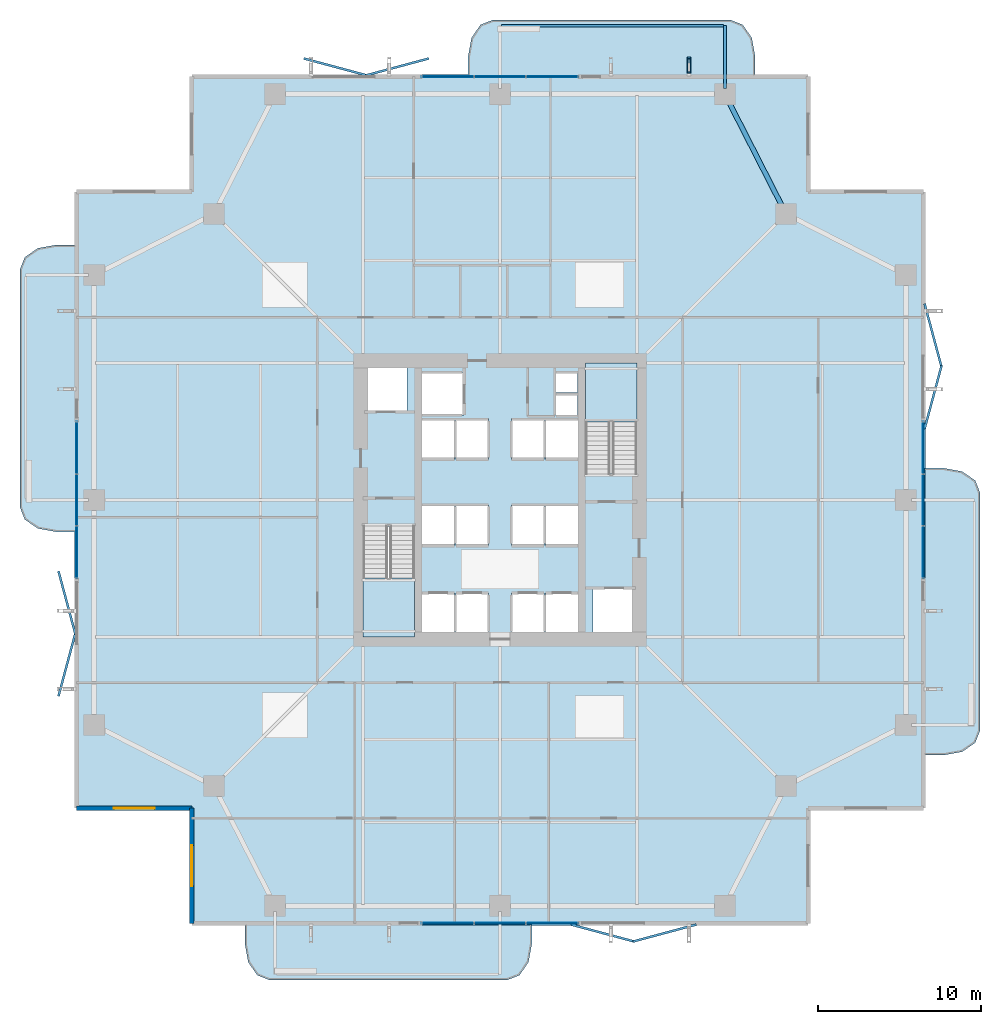
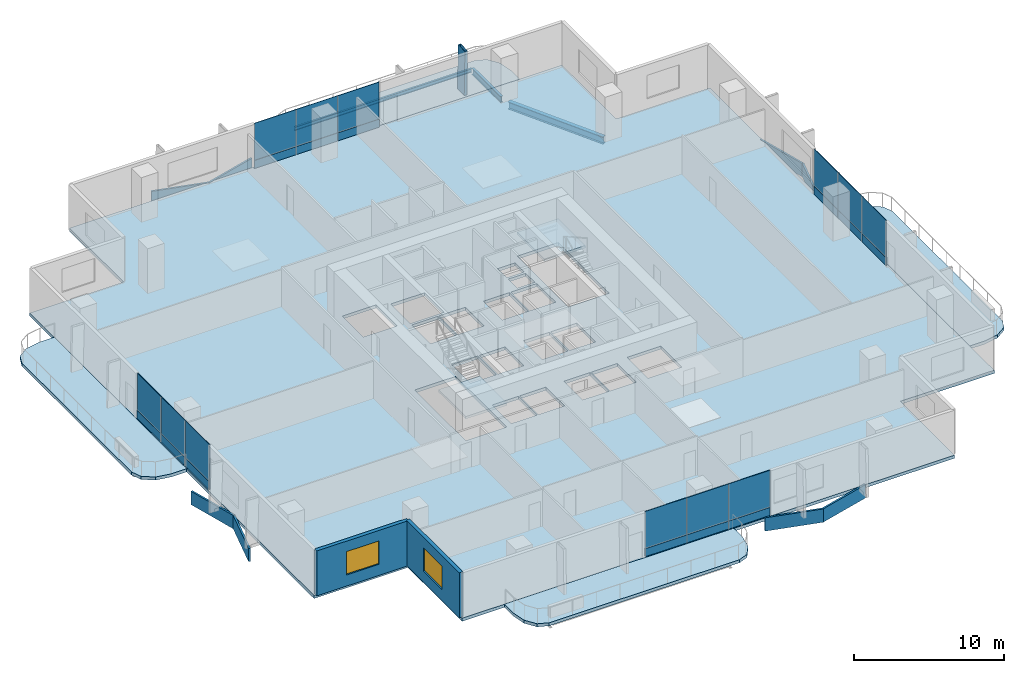
# One storey, part 16 of 23: 32 plates, 7 slabs, 3 beams, 2 walls, 2 windows, 1 member, 2 openings, 6 elements without a shape of their own.
"""IFC4 building model written with IfcOpenShell, lengths in metres."""

from ifc_helpers import new_model, si_unit, direction, frame, frame_2d, origin, origin_2d, place, context, subcontext, project, spatial, polyline, rectangle, hollow_rectangle, i_section, outline, extrude, material, layer, layer_set, material_profile, profile_set, type_object, element, fill, aggregate, save


model = new_model("IFC4")

# Units and contexts
model_context = context("Model", 3, precision=1e-05, world=origin(), true_north=direction((0.0, 1.0)))
body_context = subcontext(model_context, "Body", "Model", "MODEL_VIEW")
ifc_project = project(units=[si_unit("LENGTHUNIT", "METRE"), si_unit("AREAUNIT", "SQUARE_METRE"), si_unit("VOLUMEUNIT", "CUBIC_METRE"), si_unit("PLANEANGLEUNIT", "RADIAN"), si_unit("MASSUNIT", "GRAM", prefix="KILO")], contexts=[model_context])

# Site, building, storey
site_placement = place(None, origin())
site = spatial("IfcSite", under=ifc_project, at=site_placement, CompositionType="ELEMENT")
building_placement = place(site_placement, origin())
building = spatial("IfcBuilding", under=site, at=building_placement, Name="Belovzor Exchange Tower", CompositionType="ELEMENT")
storey_placement = place(building_placement, frame((0.0, 0.0, 125.10009765625)))
storey = spatial("IfcBuildingStorey", under=building, at=storey_placement, Name="L30", CompositionType="ELEMENT", Elevation=125.10009765625)

# Beams
ifc_material_1 = material(Name="Steel S355", Category="steel")
ifc_material_profile_1 = material_profile(ifc_material_1, i_section(OverallWidth=0.199951171875, OverallDepth=0.5, WebThickness=0.01025390625, FlangeThickness=0.01611328125, at=origin_2d()))
ifc_profile_set_1 = profile_set([ifc_material_profile_1], Name="Steel S355")
beam_type_1 = type_object("IfcBeamType", Name="Planted Balcony Cantilever Beam IPE 500", PredefinedType="BEAM", material=ifc_profile_set_1)
beam_1_placement = place(storey_placement, frame((42.60009765625, 54.05810546875, -0.5), z_axis=(0.0, 1.0, 0.0), x_axis=(-1.0, 0.0, 0.0)))
element("IfcBeam", 1, at=beam_1_placement, inside=storey, type_object=beam_type_1, Name="BC-500 Planted Balcony Cantilever Beam IPE 500", PredefinedType="BEAM", context=body_context, shape_type="SweptSolid", body=[
    extrude(i_section(OverallWidth=0.199951171875, OverallDepth=0.5, WebThickness=0.01025390625, FlangeThickness=0.01611328125, at=origin_2d()), origin(), (0.0, 0.0, 1.0), 3.849853515625),
])
ifc_material_2 = material(Name="Steel S355", Category="steel")
ifc_material_profile_2 = material_profile(ifc_material_2, i_section(OverallWidth=0.14990234375, OverallDepth=0.300048828125, WebThickness=0.007080078125, FlangeThickness=0.0107421875, at=origin_2d()))
ifc_profile_set_2 = profile_set([ifc_material_profile_2], Name="Steel S355")
beam_type_2 = type_object("IfcBeamType", Name="Planted Balcony Fascia Edge Beam IPE 300", PredefinedType="BEAM", material=ifc_profile_set_2)
beam_2_placement = place(storey_placement, frame((42.5, 57.907958984375, -0.400146484375), z_axis=(-1.0, 0.0, 0.0), x_axis=(0.0, -1.0, 0.0)))
element("IfcBeam", 2, at=beam_2_placement, inside=storey, type_object=beam_type_2, Name="BC-300 Planted Balcony Fascia Edge Beam IPE 300", PredefinedType="BEAM", context=body_context, shape_type="SweptSolid", body=[
    extrude(i_section(OverallWidth=0.14990234375, OverallDepth=0.300048828125, WebThickness=0.007080078125, FlangeThickness=0.0107421875, at=origin_2d()), origin(), (0.0, 0.0, 1.0), 13.60009765625),
])

# Member
ifc_material_3 = material(Name="Extruded Architectural Terracotta on Steel S355 Carrier", Category="masonry")
ifc_material_profile_3 = material_profile(ifc_material_3, hollow_rectangle(XDim=0.199951171875, YDim=0.89990234375, WallThickness=0.011962890625, at=origin_2d()))
ifc_profile_set_3 = profile_set([ifc_material_profile_3], Name="Extruded Architectural Terracotta on Steel S355 Carrier")
member_type = type_object("IfcMemberType", Name="Sweeping Terracotta Baguette Fin Assembly 1250", PredefinedType="USERDEFINED", material=ifc_profile_set_3)
member_placement = place(storey_placement, frame((40.39990234375, 55.528076171875, -0.25), z_axis=(0.0, -0.026408715329, 0.999651229057), x_axis=(1.0, 0.0, 0.0)))
element("IfcMember", 3, at=member_placement, inside=storey, type_object=member_type, Name="FIN-TC125 Terracotta Facade Fin L30 N4", ObjectType="FIN", PredefinedType="USERDEFINED", context=body_context, shape_type="SweptSolid", body=[
    extrude(hollow_rectangle(XDim=0.199951171875, YDim=0.89990234375, WallThickness=0.011962890625, at=origin_2d()), origin(), (0.0, 0.0, 1.0), 3.9013671875),
])

# Beam
ifc_material_4 = material(Name="Steel S355", Category="steel")
ifc_material_profile_4 = material_profile(ifc_material_4, i_section(OverallWidth=0.300048828125, OverallDepth=0.60009765625, WebThickness=0.015380859375, FlangeThickness=0.030029296875, at=origin_2d()))
ifc_profile_set_4 = profile_set([ifc_material_profile_4], Name="Steel S355")
beam_type_3 = type_object("IfcBeamType", Name="Zone 2 Primary Perimeter Girder HEB 600", PredefinedType="BEAM", material=ifc_profile_set_4)
beam_3_placement = place(storey_placement, frame((46.18798828125, 46.66796875, -0.550048828125), z_axis=(-0.454518593109, 0.890737249989, 0.0), x_axis=(-0.890737249989, -0.454518593109, 0.0)))
element("IfcBeam", 4, at=beam_3_placement, inside=storey, type_object=beam_type_3, Name="FG-Z2 Zone 2 Primary Perimeter Girder HEB 600", PredefinedType="BEAM", context=body_context, shape_type="SweptSolid", body=[
    extrude(i_section(OverallWidth=0.300048828125, OverallDepth=0.60009765625, WebThickness=0.015380859375, FlangeThickness=0.030029296875, at=origin_2d()), origin(), (0.0, 0.0, 1.0), 7.53759765625),
])

# Slab
ifc_material_5 = material(Name="Concrete C40/50", Category="concrete")
ifc_layer_1 = layer(ifc_material_5, 0.25)
ifc_layer_set_1 = layer_set([ifc_layer_1], Name="Concrete C40/50")
slab_type_1 = type_object("IfcSlabType", Name="Composite Concrete Floor Deck Slab 250", PredefinedType="FLOOR", material=ifc_layer_set_1)
slab_1_placement = place(storey_placement, frame((0.0, 0.0, -0.25)))
element("IfcSlab", 5, at=slab_1_placement, inside=storey, type_object=slab_type_1, Name="SL-F250 Structural Slab L30", PredefinedType="FLOOR", context=body_context, shape_type="SweptSolid", body=[
    extrude(outline(polyline([(9.89990234375, 2.699951171875), (47.699951171875, 2.699951171875), (47.699951171875, 9.89990234375), (54.89990234375, 9.89990234375), (54.89990234375, 47.699951171875), (47.699951171875, 47.699951171875), (47.699951171875, 54.89990234375), (9.89990234375, 54.89990234375), (9.89990234375, 47.699951171875), (2.699951171875, 47.699951171875), (2.699951171875, 9.89990234375), (9.89990234375, 9.89990234375), (9.89990234375, 2.699951171875)]), holes=[polyline([(20.39990234375, 27.175048828125), (20.39990234375, 20.39990234375), (23.550048828125, 20.39990234375), (23.550048828125, 27.175048828125), (20.39990234375, 27.175048828125)]), polyline([(37.199951171875, 30.425048828125), (37.199951171875, 37.199951171875), (34.050048828125, 37.199951171875), (34.050048828125, 30.425048828125), (37.199951171875, 30.425048828125)]), polyline([(20.5, 34.199951171875), (23.10009765625, 34.199951171875), (23.10009765625, 37.0), (20.5, 37.0), (20.5, 34.199951171875)]), polyline([(34.5, 20.60009765625), (37.10009765625, 20.60009765625), (37.10009765625, 23.39990234375), (34.5, 23.39990234375), (34.5, 20.60009765625)]), polyline([(24.0, 34.0), (26.60009765625, 34.0), (26.60009765625, 36.60009765625), (24.0, 36.60009765625), (24.0, 34.0)]), polyline([(24.0, 20.60009765625), (26.0, 20.60009765625), (26.0, 23.10009765625), (24.0, 23.10009765625), (24.0, 20.60009765625)]), polyline([(26.10009765625, 20.60009765625), (28.10009765625, 20.60009765625), (28.10009765625, 23.10009765625), (26.10009765625, 23.10009765625), (26.10009765625, 20.60009765625)]), polyline([(29.5, 20.60009765625), (31.5, 20.60009765625), (31.5, 23.10009765625), (29.5, 23.10009765625), (29.5, 20.60009765625)]), polyline([(31.60009765625, 20.60009765625), (33.60009765625, 20.60009765625), (33.60009765625, 23.10009765625), (31.60009765625, 23.10009765625), (31.60009765625, 20.60009765625)]), polyline([(24.0, 26.0), (26.0, 26.0), (26.0, 28.5), (24.0, 28.5), (24.0, 26.0)]), polyline([(26.10009765625, 26.0), (28.10009765625, 26.0), (28.10009765625, 28.5), (26.10009765625, 28.5), (26.10009765625, 26.0)]), polyline([(29.5, 26.0), (31.5, 26.0), (31.5, 28.5), (29.5, 28.5), (29.5, 26.0)]), polyline([(31.60009765625, 26.0), (33.60009765625, 26.0), (33.60009765625, 28.5), (31.60009765625, 28.5), (31.60009765625, 26.0)]), polyline([(24.0, 31.300048828125), (26.0, 31.300048828125), (26.0, 33.800048828125), (24.0, 33.800048828125), (24.0, 31.300048828125)]), polyline([(26.10009765625, 31.300048828125), (28.10009765625, 31.300048828125), (28.10009765625, 33.800048828125), (26.10009765625, 33.800048828125), (26.10009765625, 31.300048828125)]), polyline([(29.5, 31.300048828125), (31.5, 31.300048828125), (31.5, 33.800048828125), (29.5, 33.800048828125), (29.5, 31.300048828125)]), polyline([(31.60009765625, 31.300048828125), (33.60009765625, 31.300048828125), (33.60009765625, 33.800048828125), (31.60009765625, 33.800048828125), (31.60009765625, 31.300048828125)]), polyline([(32.199951171875, 34.0), (33.550048828125, 34.0), (33.550048828125, 35.199951171875), (32.199951171875, 35.199951171875), (32.199951171875, 34.0)]), polyline([(32.199951171875, 35.39990234375), (33.550048828125, 35.39990234375), (33.550048828125, 36.60009765625), (32.199951171875, 36.60009765625), (32.199951171875, 35.39990234375)])]), origin(), (0.0, 0.0, 1.0), 0.25),
])

# Curtain wall, plates
ifc_material_6 = material(Name="Anodised Aluminium Framing", Category="aluminium")
ifc_layer_2 = layer(ifc_material_6, 0.179931640625)
ifc_layer_set_2 = layer_set([ifc_layer_2], Name="Anodised Aluminium Framing")
curtain_wall_type = type_object("IfcCurtainWallType", Name="Recessed Loggia Low-Iron Triple-Glazed Curtain Wall", PredefinedType="NOTDEFINED", material=ifc_layer_set_2)
curtain_wall_1_placement = place(storey_placement, origin())
curtain_wall_1 = element("IfcCurtainWall", 6, at=curtain_wall_1_placement, inside=storey, type_object=curtain_wall_type, Name="CW3 Recessed Loggia Low-Iron Triple-Glazed Curtain Wall L30", PredefinedType="NOTDEFINED")
ifc_material_7 = material(Name="Solar-Control Triple Glazing", Category="glass")
ifc_layer_3 = layer(ifc_material_7, 0.0439453125)
ifc_layer_set_3 = layer_set([ifc_layer_3], Name="Solar-Control Triple Glazing")
plate_type_1 = type_object("IfcPlateType", Name="Insulated Solar Glazing Curtain Panel 44", PredefinedType="CURTAIN_PANEL", material=ifc_layer_set_3)
plate_1_placement = place(storey_placement, frame((32.0, 2.830078125, 0.65185546875), z_axis=(0.0, 0.0, 1.0), x_axis=(-1.0, 0.0, 0.0)))
plate_1 = element("IfcPlate", 7, at=plate_1_placement, type_object=plate_type_1, Name="GLZ-44 Glazed Curtain Panel 1", PredefinedType="CURTAIN_PANEL", context=body_context, shape_type="SweptSolid", body=[
    extrude(rectangle(XDim=3.18408203125, YDim=0.0439453125, at=origin_2d()), origin(), (0.0, 0.0, 1.0), 2.998046875),
])
plate_2_placement = place(storey_placement, frame((28.800048828125, 2.830078125, 0.65185546875), z_axis=(0.0, 0.0, 1.0), x_axis=(-1.0, 0.0, 0.0)))
plate_2 = element("IfcPlate", 8, at=plate_2_placement, type_object=plate_type_1, Name="GLZ-44 Glazed Curtain Panel 2", PredefinedType="CURTAIN_PANEL", context=body_context, shape_type="SweptSolid", body=[
    extrude(rectangle(XDim=3.18408203125, YDim=0.0439453125, at=origin_2d()), origin(), (0.0, 0.0, 1.0), 2.998046875),
])
plate_3_placement = place(storey_placement, frame((25.60009765625, 2.830078125, 0.65185546875), z_axis=(0.0, 0.0, 1.0), x_axis=(-1.0, 0.0, 0.0)))
plate_3 = element("IfcPlate", 9, at=plate_3_placement, type_object=plate_type_1, Name="GLZ-44 Glazed Curtain Panel 3", PredefinedType="CURTAIN_PANEL", context=body_context, shape_type="SweptSolid", body=[
    extrude(rectangle(XDim=3.18408203125, YDim=0.0439453125, at=origin_2d()), origin(), (0.0, 0.0, 1.0), 2.998046875),
])

curtain_wall_2_placement = place(storey_placement, origin())
curtain_wall_2 = element("IfcCurtainWall", 10, at=curtain_wall_2_placement, inside=storey, type_object=curtain_wall_type, Name="CW3 Recessed Loggia Low-Iron Triple-Glazed Curtain Wall L30", PredefinedType="NOTDEFINED")
plate_4_placement = place(storey_placement, frame((25.60009765625, 54.77001953125, 0.65185546875), z_axis=(0.0, 0.0, 1.0), x_axis=(1.0, 0.0, 0.0)))
plate_4 = element("IfcPlate", 11, at=plate_4_placement, type_object=plate_type_1, Name="GLZ-44 Glazed Curtain Panel 1", PredefinedType="CURTAIN_PANEL", context=body_context, shape_type="SweptSolid", body=[
    extrude(rectangle(XDim=3.18408203125, YDim=0.0439453125, at=origin_2d()), origin(), (0.0, 0.0, 1.0), 2.998046875),
])
plate_5_placement = place(storey_placement, frame((28.800048828125, 54.77001953125, 0.65185546875), z_axis=(0.0, 0.0, 1.0), x_axis=(1.0, 0.0, 0.0)))
plate_5 = element("IfcPlate", 12, at=plate_5_placement, type_object=plate_type_1, Name="GLZ-44 Glazed Curtain Panel 2", PredefinedType="CURTAIN_PANEL", context=body_context, shape_type="SweptSolid", body=[
    extrude(rectangle(XDim=3.18408203125, YDim=0.0439453125, at=origin_2d()), origin(), (0.0, 0.0, 1.0), 2.998046875),
])
plate_6_placement = place(storey_placement, frame((32.0, 54.77001953125, 0.65185546875), z_axis=(0.0, 0.0, 1.0), x_axis=(1.0, 0.0, 0.0)))
plate_6 = element("IfcPlate", 13, at=plate_6_placement, type_object=plate_type_1, Name="GLZ-44 Glazed Curtain Panel 3", PredefinedType="CURTAIN_PANEL", context=body_context, shape_type="SweptSolid", body=[
    extrude(rectangle(XDim=3.18408203125, YDim=0.0439453125, at=origin_2d()), origin(), (0.0, 0.0, 1.0), 2.998046875),
])

curtain_wall_3_placement = place(storey_placement, origin())
curtain_wall_3 = element("IfcCurtainWall", 14, at=curtain_wall_3_placement, inside=storey, type_object=curtain_wall_type, Name="CW3 Recessed Loggia Low-Iron Triple-Glazed Curtain Wall L30", PredefinedType="NOTDEFINED")
plate_7_placement = place(storey_placement, frame((2.830078125, 25.60009765625, 0.65185546875), z_axis=(0.0, 0.0, 1.0), x_axis=(0.0, 1.0, 0.0)))
plate_7 = element("IfcPlate", 15, at=plate_7_placement, type_object=plate_type_1, Name="GLZ-44 Glazed Curtain Panel 1", PredefinedType="CURTAIN_PANEL", context=body_context, shape_type="SweptSolid", body=[
    extrude(rectangle(XDim=3.18408203125, YDim=0.0439453125, at=origin_2d()), origin(), (0.0, 0.0, 1.0), 2.998046875),
])
plate_8_placement = place(storey_placement, frame((2.830078125, 28.800048828125, 0.65185546875), z_axis=(0.0, 0.0, 1.0), x_axis=(0.0, 1.0, 0.0)))
plate_8 = element("IfcPlate", 16, at=plate_8_placement, type_object=plate_type_1, Name="GLZ-44 Glazed Curtain Panel 2", PredefinedType="CURTAIN_PANEL", context=body_context, shape_type="SweptSolid", body=[
    extrude(rectangle(XDim=3.18408203125, YDim=0.0439453125, at=origin_2d()), origin(), (0.0, 0.0, 1.0), 2.998046875),
])
plate_9_placement = place(storey_placement, frame((2.830078125, 32.0, 0.65185546875), z_axis=(0.0, 0.0, 1.0), x_axis=(0.0, 1.0, 0.0)))
plate_9 = element("IfcPlate", 17, at=plate_9_placement, type_object=plate_type_1, Name="GLZ-44 Glazed Curtain Panel 3", PredefinedType="CURTAIN_PANEL", context=body_context, shape_type="SweptSolid", body=[
    extrude(rectangle(XDim=3.18408203125, YDim=0.0439453125, at=origin_2d()), origin(), (0.0, 0.0, 1.0), 2.998046875),
])

curtain_wall_4_placement = place(storey_placement, origin())
curtain_wall_4 = element("IfcCurtainWall", 18, at=curtain_wall_4_placement, inside=storey, type_object=curtain_wall_type, Name="CW3 Recessed Loggia Low-Iron Triple-Glazed Curtain Wall L30", PredefinedType="NOTDEFINED")
plate_10_placement = place(storey_placement, frame((54.77001953125, 32.0, 0.65185546875), z_axis=(0.0, 0.0, 1.0), x_axis=(0.0, -1.0, 0.0)))
plate_10 = element("IfcPlate", 19, at=plate_10_placement, type_object=plate_type_1, Name="GLZ-44 Glazed Curtain Panel 1", PredefinedType="CURTAIN_PANEL", context=body_context, shape_type="SweptSolid", body=[
    extrude(rectangle(XDim=3.18408203125, YDim=0.0439453125, at=origin_2d()), origin(), (0.0, 0.0, 1.0), 2.998046875),
])
plate_11_placement = place(storey_placement, frame((54.77001953125, 28.800048828125, 0.65185546875), z_axis=(0.0, 0.0, 1.0), x_axis=(0.0, -1.0, 0.0)))
plate_11 = element("IfcPlate", 20, at=plate_11_placement, type_object=plate_type_1, Name="GLZ-44 Glazed Curtain Panel 2", PredefinedType="CURTAIN_PANEL", context=body_context, shape_type="SweptSolid", body=[
    extrude(rectangle(XDim=3.18408203125, YDim=0.0439453125, at=origin_2d()), origin(), (0.0, 0.0, 1.0), 2.998046875),
])
plate_12_placement = place(storey_placement, frame((54.77001953125, 25.60009765625, 0.65185546875), z_axis=(0.0, 0.0, 1.0), x_axis=(0.0, -1.0, 0.0)))
plate_12 = element("IfcPlate", 21, at=plate_12_placement, type_object=plate_type_1, Name="GLZ-44 Glazed Curtain Panel 3", PredefinedType="CURTAIN_PANEL", context=body_context, shape_type="SweptSolid", body=[
    extrude(rectangle(XDim=3.18408203125, YDim=0.0439453125, at=origin_2d()), origin(), (0.0, 0.0, 1.0), 2.998046875),
])

# Plates
ifc_material_8 = material(Name="Extruded Architectural Terracotta", Category="masonry")
ifc_layer_4 = layer(ifc_material_8, 0.139892578125)
ifc_layer_set_4 = layer_set([ifc_layer_4], Name="Extruded Architectural Terracotta")
plate_type_2 = type_object("IfcPlateType", Name="Mid-Tower Folded Zigzag Terracotta Spandrel Louvre 120", PredefinedType="USERDEFINED", material=ifc_layer_set_4)
for number, where, z_axis, x_axis, name in (
    (22, (18.699951171875, 55.3701171875, -1.065185546875), (0.0, 0.0, 1.0), (0.965812803231, -0.259240485101, 0.0), "LVR-ZZ2 Zigzag Terracotta Spandrel Louvre L30 N1A"),
    (23, (22.5, 55.3701171875, -1.065185546875), (0.0, 0.0, 1.0), (0.965812803231, 0.259240485101, 0.0), "LVR-ZZ2 Zigzag Terracotta Spandrel Louvre L30 N1B"),
    (24, (2.22998046875, 18.699951171875, -1.065185546875), (0.0, 0.0, 1.0), (0.259240485101, 0.965812803231, 0.0), "LVR-ZZ2 Zigzag Terracotta Spandrel Louvre L30 W1A"),
    (25, (2.22998046875, 22.5, -1.065185546875), (0.0, 0.0, 1.0), (-0.259240485101, 0.965812803231, 0.0), "LVR-ZZ2 Zigzag Terracotta Spandrel Louvre L30 W1B"),
    (26, (35.10009765625, 2.22998046875, -1.065185546875), (0.0, 0.0, 1.0), (0.965812803231, -0.259240485101, 0.0), "LVR-ZZ2 Zigzag Terracotta Spandrel Louvre L30 S2A"),
    (27, (38.89990234375, 2.22998046875, -1.065185546875), (0.0, 0.0, 1.0), (0.965812803231, 0.259240485101, 0.0), "LVR-ZZ2 Zigzag Terracotta Spandrel Louvre L30 S2B"),
    (28, (55.3701171875, 35.10009765625, -1.065185546875), (0.0, 0.0, 1.0), (0.259240485101, 0.965812803231, 0.0), "LVR-ZZ2 Zigzag Terracotta Spandrel Louvre L30 E2A"),
    (29, (55.3701171875, 38.89990234375, -1.065185546875), (0.0, 0.0, 1.0), (-0.259240485101, 0.965812803231, 0.0), "LVR-ZZ2 Zigzag Terracotta Spandrel Louvre L30 E2B"),
):
    element("IfcPlate", number, at=place(storey_placement, frame(where, z_axis=z_axis, x_axis=x_axis)), inside=storey, type_object=plate_type_2, Name=name, ObjectType="SPANDREL_LOUVRE", PredefinedType="USERDEFINED", context=body_context, shape_type="SweptSolid", body=[
        extrude(rectangle(XDim=4.014892578125, YDim=0.139892578125, at=origin_2d()), origin(), (0.0, 0.0, 1.0), 1.080078125),
    ])

# Stair, slab
ifc_material_9 = material(Name="Concrete C40/50", Category="concrete")
stair_type = type_object("IfcStairType", Name="Reinforced Concrete Dogleg Escape Stair 1350", PredefinedType="HALF_TURN_STAIR", material=ifc_material_9)
stair_1_placement = place(storey_placement, origin())
stair_1 = element("IfcStair", 30, at=stair_1_placement, inside=storey, type_object=stair_type, Name="L30 ST-1", PredefinedType="HALF_TURN_STAIR")
ifc_material_10 = material(Name="Concrete C40/50", Category="concrete")
ifc_layer_5 = layer(ifc_material_10, 0.199951171875)
ifc_layer_set_5 = layer_set([ifc_layer_5], Name="Concrete C40/50")
slab_type_2 = type_object("IfcSlabType", Name="Reinforced Concrete Stair Half-Landing Slab 200", PredefinedType="LANDING", material=ifc_layer_set_5)
slab_2_placement = place(storey_placement, frame((0.0, 0.0, 1.75)))
slab_2 = element("IfcSlab", 31, at=slab_2_placement, type_object=slab_type_2, Name="ST-1 landing 1", PredefinedType="LANDING", context=body_context, shape_type="SweptSolid", body=[
    extrude(outline(polyline([(20.39990234375, 24.010009765625), (20.39990234375, 20.39990234375), (23.550048828125, 20.39990234375), (23.550048828125, 24.010009765625), (20.39990234375, 24.010009765625)])), origin(), (0.0, 0.0, 1.0), 0.199951171875),
])
aggregate(stair_1, [slab_2])

stair_2_placement = place(storey_placement, origin())
stair_2 = element("IfcStair", 32, at=stair_2_placement, inside=storey, type_object=stair_type, Name="L30 ST-2", PredefinedType="HALF_TURN_STAIR")
slab_3_placement = place(storey_placement, frame((0.0, 0.0, 1.75)))
slab_3 = element("IfcSlab", 33, at=slab_3_placement, type_object=slab_type_2, Name="ST-2 landing 1", PredefinedType="LANDING", context=body_context, shape_type="SweptSolid", body=[
    extrude(outline(polyline([(37.199951171875, 33.590087890625), (37.199951171875, 37.199951171875), (34.050048828125, 37.199951171875), (34.050048828125, 33.590087890625), (37.199951171875, 33.590087890625)])), origin(), (0.0, 0.0, 1.0), 0.199951171875),
])
aggregate(stair_2, [slab_3])

# Plate
ifc_material_11 = material(Name="Extruded Architectural Terracotta", Category="masonry")
ifc_layer_6 = layer(ifc_material_11, 0.090087890625)
ifc_layer_set_6 = layer_set([ifc_layer_6], Name="Extruded Architectural Terracotta")
plate_type_3 = type_object("IfcPlateType", Name="Terracotta Shadow-Box Spandrel Panel 90", PredefinedType="CURTAIN_PANEL", material=ifc_layer_set_6)
plate_13_placement = place(storey_placement, frame((32.0, 2.830078125, 0.0), z_axis=(0.0, 0.0, 1.0), x_axis=(-1.0, 0.0, 0.0)))
plate_13 = element("IfcPlate", 34, at=plate_13_placement, type_object=plate_type_3, Name="SPD-90 Spandrel Panel 1", PredefinedType="CURTAIN_PANEL", context=body_context, shape_type="SweptSolid", body=[
    extrude(rectangle(XDim=3.18408203125, YDim=0.090087890625, at=origin_2d()), origin(), (0.0, 0.0, 1.0), 0.64794921875),
])

plate_14_placement = place(storey_placement, frame((28.800048828125, 2.830078125, 0.0), z_axis=(0.0, 0.0, 1.0), x_axis=(-1.0, 0.0, 0.0)))
plate_14 = element("IfcPlate", 35, at=plate_14_placement, type_object=plate_type_3, Name="SPD-90 Spandrel Panel 2", PredefinedType="CURTAIN_PANEL", context=body_context, shape_type="SweptSolid", body=[
    extrude(rectangle(XDim=3.18408203125, YDim=0.090087890625, at=origin_2d()), origin(), (0.0, 0.0, 1.0), 0.64794921875),
])

plate_15_placement = place(storey_placement, frame((25.60009765625, 2.830078125, 0.0), z_axis=(0.0, 0.0, 1.0), x_axis=(-1.0, 0.0, 0.0)))
plate_15 = element("IfcPlate", 36, at=plate_15_placement, type_object=plate_type_3, Name="SPD-90 Spandrel Panel 3", PredefinedType="CURTAIN_PANEL", context=body_context, shape_type="SweptSolid", body=[
    extrude(rectangle(XDim=3.18408203125, YDim=0.090087890625, at=origin_2d()), origin(), (0.0, 0.0, 1.0), 0.64794921875),
])

aggregate(curtain_wall_1, [plate_13, plate_1, plate_14, plate_2, plate_15, plate_3])

plate_16_placement = place(storey_placement, frame((25.60009765625, 54.77001953125, 0.0), z_axis=(0.0, 0.0, 1.0), x_axis=(1.0, 0.0, 0.0)))
plate_16 = element("IfcPlate", 37, at=plate_16_placement, type_object=plate_type_3, Name="SPD-90 Spandrel Panel 1", PredefinedType="CURTAIN_PANEL", context=body_context, shape_type="SweptSolid", body=[
    extrude(rectangle(XDim=3.18408203125, YDim=0.090087890625, at=origin_2d()), origin(), (0.0, 0.0, 1.0), 0.64794921875),
])

plate_17_placement = place(storey_placement, frame((28.800048828125, 54.77001953125, 0.0), z_axis=(0.0, 0.0, 1.0), x_axis=(1.0, 0.0, 0.0)))
plate_17 = element("IfcPlate", 38, at=plate_17_placement, type_object=plate_type_3, Name="SPD-90 Spandrel Panel 2", PredefinedType="CURTAIN_PANEL", context=body_context, shape_type="SweptSolid", body=[
    extrude(rectangle(XDim=3.18408203125, YDim=0.090087890625, at=origin_2d()), origin(), (0.0, 0.0, 1.0), 0.64794921875),
])

plate_18_placement = place(storey_placement, frame((32.0, 54.77001953125, 0.0), z_axis=(0.0, 0.0, 1.0), x_axis=(1.0, 0.0, 0.0)))
plate_18 = element("IfcPlate", 39, at=plate_18_placement, type_object=plate_type_3, Name="SPD-90 Spandrel Panel 3", PredefinedType="CURTAIN_PANEL", context=body_context, shape_type="SweptSolid", body=[
    extrude(rectangle(XDim=3.18408203125, YDim=0.090087890625, at=origin_2d()), origin(), (0.0, 0.0, 1.0), 0.64794921875),
])

aggregate(curtain_wall_2, [plate_16, plate_4, plate_17, plate_5, plate_18, plate_6])

plate_19_placement = place(storey_placement, frame((2.830078125, 25.60009765625, 0.0), z_axis=(0.0, 0.0, 1.0), x_axis=(0.0, 1.0, 0.0)))
plate_19 = element("IfcPlate", 40, at=plate_19_placement, type_object=plate_type_3, Name="SPD-90 Spandrel Panel 1", PredefinedType="CURTAIN_PANEL", context=body_context, shape_type="SweptSolid", body=[
    extrude(rectangle(XDim=3.18408203125, YDim=0.090087890625, at=origin_2d()), origin(), (0.0, 0.0, 1.0), 0.64794921875),
])

plate_20_placement = place(storey_placement, frame((2.830078125, 28.800048828125, 0.0), z_axis=(0.0, 0.0, 1.0), x_axis=(0.0, 1.0, 0.0)))
plate_20 = element("IfcPlate", 41, at=plate_20_placement, type_object=plate_type_3, Name="SPD-90 Spandrel Panel 2", PredefinedType="CURTAIN_PANEL", context=body_context, shape_type="SweptSolid", body=[
    extrude(rectangle(XDim=3.18408203125, YDim=0.090087890625, at=origin_2d()), origin(), (0.0, 0.0, 1.0), 0.64794921875),
])

plate_21_placement = place(storey_placement, frame((2.830078125, 32.0, 0.0), z_axis=(0.0, 0.0, 1.0), x_axis=(0.0, 1.0, 0.0)))
plate_21 = element("IfcPlate", 42, at=plate_21_placement, type_object=plate_type_3, Name="SPD-90 Spandrel Panel 3", PredefinedType="CURTAIN_PANEL", context=body_context, shape_type="SweptSolid", body=[
    extrude(rectangle(XDim=3.18408203125, YDim=0.090087890625, at=origin_2d()), origin(), (0.0, 0.0, 1.0), 0.64794921875),
])

aggregate(curtain_wall_3, [plate_19, plate_7, plate_20, plate_8, plate_21, plate_9])

plate_22_placement = place(storey_placement, frame((54.77001953125, 32.0, 0.0), z_axis=(0.0, 0.0, 1.0), x_axis=(0.0, -1.0, 0.0)))
plate_22 = element("IfcPlate", 43, at=plate_22_placement, type_object=plate_type_3, Name="SPD-90 Spandrel Panel 1", PredefinedType="CURTAIN_PANEL", context=body_context, shape_type="SweptSolid", body=[
    extrude(rectangle(XDim=3.18408203125, YDim=0.090087890625, at=origin_2d()), origin(), (0.0, 0.0, 1.0), 0.64794921875),
])

plate_23_placement = place(storey_placement, frame((54.77001953125, 28.800048828125, 0.0), z_axis=(0.0, 0.0, 1.0), x_axis=(0.0, -1.0, 0.0)))
plate_23 = element("IfcPlate", 44, at=plate_23_placement, type_object=plate_type_3, Name="SPD-90 Spandrel Panel 2", PredefinedType="CURTAIN_PANEL", context=body_context, shape_type="SweptSolid", body=[
    extrude(rectangle(XDim=3.18408203125, YDim=0.090087890625, at=origin_2d()), origin(), (0.0, 0.0, 1.0), 0.64794921875),
])

plate_24_placement = place(storey_placement, frame((54.77001953125, 25.60009765625, 0.0), z_axis=(0.0, 0.0, 1.0), x_axis=(0.0, -1.0, 0.0)))
plate_24 = element("IfcPlate", 45, at=plate_24_placement, type_object=plate_type_3, Name="SPD-90 Spandrel Panel 3", PredefinedType="CURTAIN_PANEL", context=body_context, shape_type="SweptSolid", body=[
    extrude(rectangle(XDim=3.18408203125, YDim=0.090087890625, at=origin_2d()), origin(), (0.0, 0.0, 1.0), 0.64794921875),
])

aggregate(curtain_wall_4, [plate_22, plate_10, plate_23, plate_11, plate_24, plate_12])

# Slabs
ifc_material_12 = material(Name="Concrete C40/50", Category="concrete")
ifc_layer_7 = layer(ifc_material_12, 0.25)
ifc_layer_set_7 = layer_set([ifc_layer_7], Name="Concrete C40/50")
slab_type_3 = type_object("IfcSlabType", Name="Thermally Broken Planted Balcony Slab 250", PredefinedType="FLOOR", material=ifc_layer_set_7)
slab_4_placement = place(storey_placement, frame((0.0, 0.0, -0.25)))
element("IfcSlab", 46, at=slab_4_placement, inside=storey, type_object=slab_type_3, Name="SL-BAL220 Planted Balcony Loggia L30 South", PredefinedType="FLOOR", context=body_context, shape_type="SweptSolid", body=[
    extrude(outline(polyline([(13.14990234375, 2.715087890625), (13.14990234375, 1.550048828125), (13.35107421875, 0.449951171875), (13.89990234375, -0.35498046875), (14.64990234375, -0.64990234375), (29.25, -0.64990234375), (30.0, -0.35498046875), (30.549072265625, 0.449951171875), (30.75, 1.550048828125), (30.75, 2.715087890625), (13.14990234375, 2.715087890625)])), origin(), (0.0, 0.0, 1.0), 0.25),
])
slab_5_placement = place(storey_placement, frame((0.0, 0.0, -0.25)))
element("IfcSlab", 47, at=slab_5_placement, inside=storey, type_object=slab_type_3, Name="SL-BAL220 Planted Balcony Loggia L30 North", PredefinedType="FLOOR", context=body_context, shape_type="SweptSolid", body=[
    extrude(outline(polyline([(44.449951171875, 54.885009765625), (44.449951171875, 56.050048828125), (44.2490234375, 57.14990234375), (43.699951171875, 57.955078125), (42.949951171875, 58.25), (28.35009765625, 58.25), (27.60009765625, 57.955078125), (27.051025390625, 57.14990234375), (26.85009765625, 56.050048828125), (26.85009765625, 54.885009765625), (44.449951171875, 54.885009765625)])), origin(), (0.0, 0.0, 1.0), 0.25),
])
slab_6_placement = place(storey_placement, frame((0.0, 0.0, -0.25)))
element("IfcSlab", 48, at=slab_6_placement, inside=storey, type_object=slab_type_3, Name="SL-BAL220 Planted Balcony Loggia L30 East", PredefinedType="FLOOR", context=body_context, shape_type="SweptSolid", body=[
    extrude(outline(polyline([(54.885009765625, 13.14990234375), (56.050048828125, 13.14990234375), (57.14990234375, 13.35107421875), (57.955078125, 13.89990234375), (58.25, 14.64990234375), (58.25, 29.25), (57.955078125, 30.0), (57.14990234375, 30.549072265625), (56.050048828125, 30.75), (54.885009765625, 30.75), (54.885009765625, 13.14990234375)])), origin(), (0.0, 0.0, 1.0), 0.25),
])
slab_7_placement = place(storey_placement, frame((0.0, 0.0, -0.25)))
element("IfcSlab", 49, at=slab_7_placement, inside=storey, type_object=slab_type_3, Name="SL-BAL220 Planted Balcony Loggia L30 West", PredefinedType="FLOOR", context=body_context, shape_type="SweptSolid", body=[
    extrude(outline(polyline([(2.715087890625, 44.449951171875), (1.550048828125, 44.449951171875), (0.449951171875, 44.2490234375), (-0.35498046875, 43.699951171875), (-0.64990234375, 42.949951171875), (-0.64990234375, 28.35009765625), (-0.35498046875, 27.60009765625), (0.449951171875, 27.051025390625), (1.550048828125, 26.85009765625), (2.715087890625, 26.85009765625), (2.715087890625, 44.449951171875)])), origin(), (0.0, 0.0, 1.0), 0.25),
])

# Wall, opening, window
ifc_material_13 = material(Name="Precast concrete C40/50", Category="concrete")
ifc_layer_8 = layer(ifc_material_13, 0.280029296875)
ifc_layer_set_8 = layer_set([ifc_layer_8], Name="Precast concrete C40/50")
wall_type = type_object("IfcWallType", Name="Precast Concrete Notched Corner Frame Wall 280", PredefinedType="SOLIDWALL", material=ifc_layer_set_8)
wall_1_placement = place(storey_placement, frame((9.89990234375, 2.830078125, 0.0), z_axis=(0.0, 0.0, 1.0), x_axis=(0.0, 1.0, 0.0)))
wall_1 = element("IfcWall", 50, at=wall_1_placement, inside=storey, type_object=wall_type, Name="W-CRN280 Precast Concrete Notched Corner Frame Wall 280 L30", PredefinedType="SOLIDWALL", context=body_context, shape_type="SweptSolid", body=[
    extrude(rectangle(XDim=7.06982421875, YDim=0.280029296875, at=frame_2d((3.534912109375, 0.0))), origin(), (0.0, 0.0, 1.0), 3.64990234375),
])
opening_1_placement = place(wall_1_placement, frame((2.284912109375, 0.0, 0.89990234375)))
opening_1 = element("IfcOpeningElement", 51, at=opening_1_placement, cuts=wall_1, Name="Opening WN-CRN250", PredefinedType="OPENING", context=body_context, shape_type="SweptSolid", body=[
    extrude(rectangle(XDim=2.5, YDim=1.89990234375, at=frame_2d((1.25, 0.949951171875))), frame((0.0, 0.14990234375, 0.0), z_axis=(0.0, -1.0, 0.0), x_axis=(1.0, 0.0, 0.0)), (0.0, 0.0, 1.0), 0.300048828125),
])
ifc_material_14 = material(Name="Thermally Broken Aluminium and Triple Glazing", Category="aluminium")
window_type = type_object("IfcWindowType", Name="Streamline Moderne Corner Wrap Ribbon Window 2500x1900", PartitioningType="SINGLE_PANEL", PredefinedType="WINDOW", material=ifc_material_14)
window_1_placement = place(opening_1_placement, origin())
window_1 = element("IfcWindow", 52, at=window_1_placement, inside=storey, type_object=window_type, Name="WN-CRN250 Streamline Moderne Corner Wrap Ribbon Window 2500x1900", OverallHeight=1.89990234375, OverallWidth=2.5, PartitioningType="SINGLE_PANEL", PredefinedType="WINDOW", context=body_context, shape_type="SweptSolid", body=[
    extrude(rectangle(XDim=2.5, YDim=1.89990234375, at=frame_2d((1.25, 0.949951171875))), frame((0.0, 0.030029296875, 0.0), z_axis=(0.0, -1.0, 0.0), x_axis=(1.0, 0.0, 0.0)), (0.0, 0.0, 1.0), 0.06005859375),
])
fill(opening_1, window_1)

wall_2_placement = place(storey_placement, frame((9.89990234375, 9.89990234375, 0.0), z_axis=(0.0, 0.0, 1.0), x_axis=(-1.0, 0.0, 0.0)))
wall_2 = element("IfcWall", 53, at=wall_2_placement, inside=storey, type_object=wall_type, Name="W-CRN280 Precast Concrete Notched Corner Frame Wall 280 L30", PredefinedType="SOLIDWALL", context=body_context, shape_type="SweptSolid", body=[
    extrude(rectangle(XDim=7.06982421875, YDim=0.280029296875, at=frame_2d((3.534912109375, 0.0))), origin(), (0.0, 0.0, 1.0), 3.64990234375),
])
opening_2_placement = place(wall_2_placement, frame((2.284912109375, 0.0, 0.89990234375)))
opening_2 = element("IfcOpeningElement", 54, at=opening_2_placement, cuts=wall_2, Name="Opening WN-CRN250", PredefinedType="OPENING", context=body_context, shape_type="SweptSolid", body=[
    extrude(rectangle(XDim=2.5, YDim=1.89990234375, at=frame_2d((1.25, 0.949951171875))), frame((0.0, 0.14990234375, 0.0), z_axis=(0.0, -1.0, 0.0), x_axis=(1.0, 0.0, 0.0)), (0.0, 0.0, 1.0), 0.300048828125),
])
window_2_placement = place(opening_2_placement, origin())
window_2 = element("IfcWindow", 55, at=window_2_placement, inside=storey, type_object=window_type, Name="WN-CRN250 Streamline Moderne Corner Wrap Ribbon Window 2500x1900", OverallHeight=1.89990234375, OverallWidth=2.5, PartitioningType="SINGLE_PANEL", PredefinedType="WINDOW", context=body_context, shape_type="SweptSolid", body=[
    extrude(rectangle(XDim=2.5, YDim=1.89990234375, at=frame_2d((1.25, 0.949951171875))), frame((0.0, 0.030029296875, 0.0), z_axis=(0.0, -1.0, 0.0), x_axis=(1.0, 0.0, 0.0)), (0.0, 0.0, 1.0), 0.06005859375),
])
fill(opening_2, window_2)

save(model, "model.ifc")
